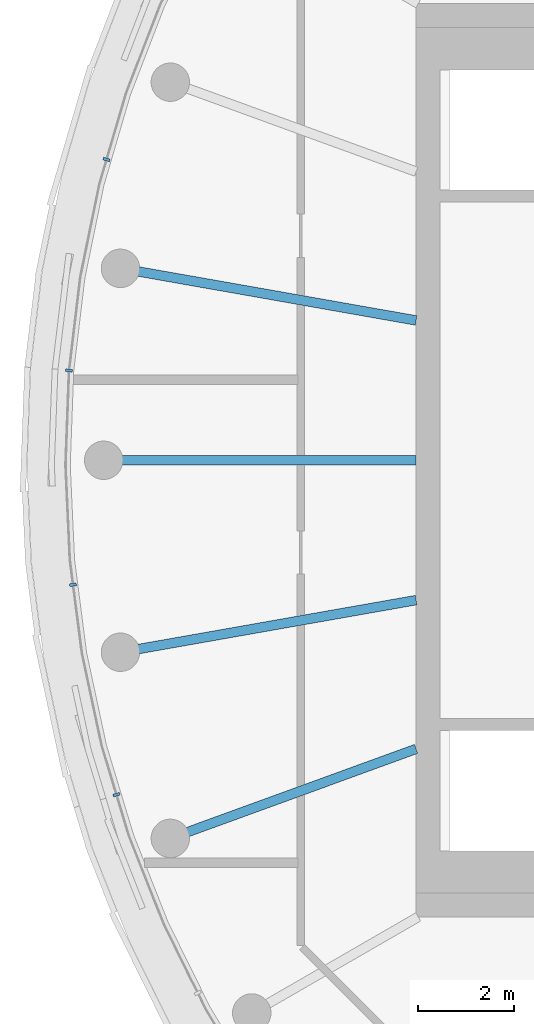
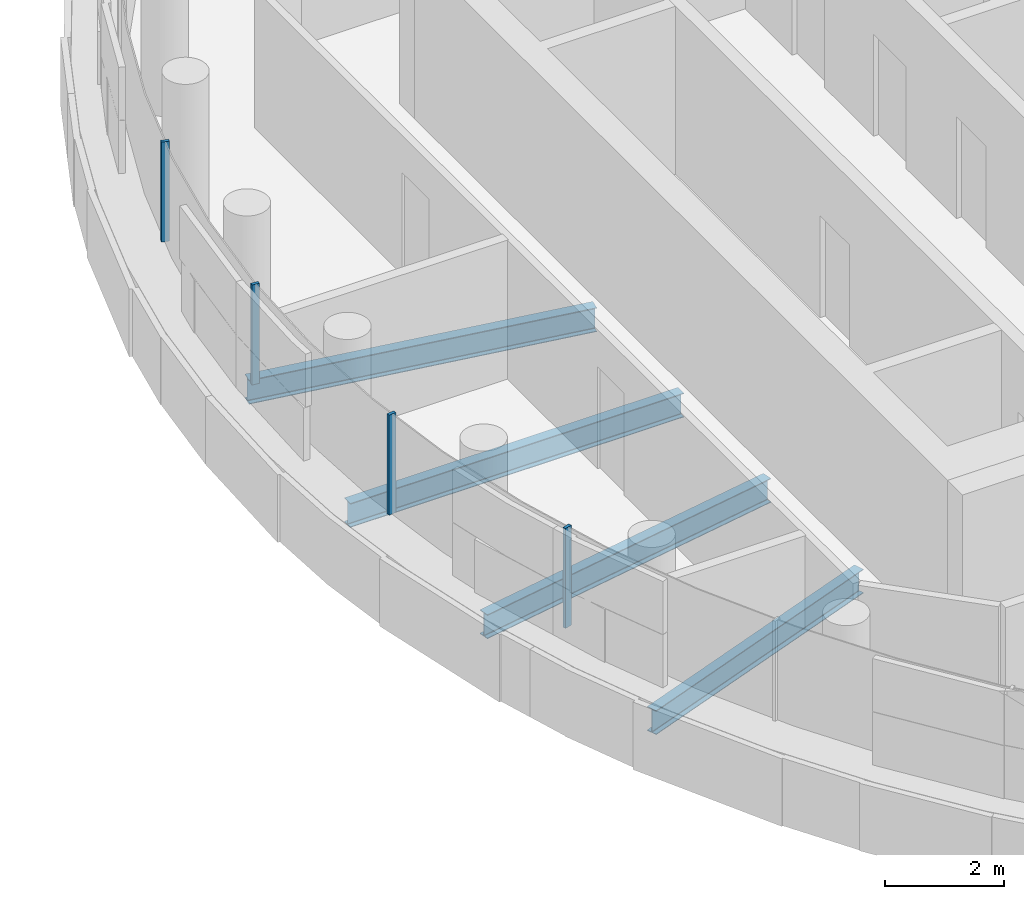
# One storey, part 4 of 21: 4 beams, 4 members, 1 element without a shape of its own.
"""IFC4 building model written with IfcOpenShell, lengths in metres."""

from ifc_helpers import new_model, si_unit, direction, frame, origin, origin_2d, place, context, subcontext, project, spatial, rectangle, i_section, extrude, material, layer, layer_set, material_profile, profile_set, type_object, element, aggregate, save


model = new_model("IFC4")

# Units and contexts
model_context = context("Model", 3, precision=1e-05, world=origin(), true_north=direction((0.0, 1.0)))
body_context = subcontext(model_context, "Body", "Model", "MODEL_VIEW")
ifc_project = project(units=[si_unit("LENGTHUNIT", "METRE"), si_unit("AREAUNIT", "SQUARE_METRE"), si_unit("VOLUMEUNIT", "CUBIC_METRE"), si_unit("PLANEANGLEUNIT", "RADIAN"), si_unit("MASSUNIT", "GRAM", prefix="KILO")], contexts=[model_context])

# Site, building, storey
site_placement = place(None, origin())
site = spatial("IfcSite", under=ifc_project, at=site_placement, CompositionType="ELEMENT")
building_placement = place(site_placement, origin())
building = spatial("IfcBuilding", under=site, at=building_placement, Name="Tamarind Cross Interchange Tower", CompositionType="ELEMENT")
storey_placement = place(building_placement, frame((0.0, 0.0, 264.0)))
storey = spatial("IfcBuildingStorey", under=building, at=storey_placement, Name="L67", CompositionType="ELEMENT", Elevation=264.0)

# Beams
ifc_material_1 = material(Name="Steel Q355B", Category="steel")
ifc_material_profile_1 = material_profile(ifc_material_1, i_section(OverallWidth=0.198974609375, OverallDepth=0.49609375, WebThickness=0.009033203125, FlangeThickness=0.013916015625, FilletRadius=0.012939453125, at=origin_2d()), Name="HN 496x199x9x14")
ifc_profile_set_1 = profile_set([ifc_material_profile_1], Name="Steel Q355B")
beam_type = type_object("IfcBeamType", Name="Composite beam HN 496x199x9x14 Q355B", PredefinedType="BEAM", material=ifc_profile_set_1)
beam_1_placement = place(storey_placement, frame((-22.650634765625, 3.993896484375, -0.387939453125), z_axis=(0.984809127561, -0.173640382036, 0.0), x_axis=(0.173640382036, 0.984809127561, 0.0)))
element("IfcBeam", 1, at=beam_1_placement, inside=storey, type_object=beam_type, Name="Beam HH17", PredefinedType="BEAM", context=body_context, shape_type="SweptSolid", body=[
    extrude(i_section(OverallWidth=0.198974609375, OverallDepth=0.49609375, WebThickness=0.009033203125, FlangeThickness=0.013916015625, FilletRadius=0.012939453125, at=origin_2d()), origin(), (0.0, 0.0, 1.0), 6.24560546875),
])
beam_2_placement = place(storey_placement, frame((-23.0, 0.0, -0.387939453125), z_axis=(1.0, 0.0, 0.0), x_axis=(0.0, 1.0, 0.0)))
element("IfcBeam", 2, at=beam_2_placement, inside=storey, type_object=beam_type, Name="Beam HH18", PredefinedType="BEAM", context=body_context, shape_type="SweptSolid", body=[
    extrude(i_section(OverallWidth=0.198974609375, OverallDepth=0.49609375, WebThickness=0.009033203125, FlangeThickness=0.013916015625, FilletRadius=0.012939453125, at=origin_2d()), origin(), (0.0, 0.0, 1.0), 6.5),
])
beam_3_placement = place(storey_placement, frame((-22.650634765625, -3.993896484375, -0.387939453125), z_axis=(0.984809127561, 0.173640382036, 0.0), x_axis=(-0.173640382036, 0.984809127561, 0.0)))
element("IfcBeam", 3, at=beam_3_placement, inside=storey, type_object=beam_type, Name="Beam HH19", PredefinedType="BEAM", context=body_context, shape_type="SweptSolid", body=[
    extrude(i_section(OverallWidth=0.198974609375, OverallDepth=0.49609375, WebThickness=0.009033203125, FlangeThickness=0.013916015625, FilletRadius=0.012939453125, at=origin_2d()), origin(), (0.0, 0.0, 1.0), 6.24560546875),
])
beam_4_placement = place(storey_placement, frame((-21.613037109375, -7.866455078125, -0.387939453125), z_axis=(0.939701685589, 0.341995236956, 0.0), x_axis=(-0.341995236956, 0.939701685589, 0.0)))
element("IfcBeam", 4, at=beam_4_placement, inside=storey, type_object=beam_type, Name="Beam HH20", PredefinedType="BEAM", context=body_context, shape_type="SweptSolid", body=[
    extrude(i_section(OverallWidth=0.198974609375, OverallDepth=0.49609375, WebThickness=0.009033203125, FlangeThickness=0.013916015625, FilletRadius=0.012939453125, at=origin_2d()), origin(), (0.0, 0.0, 1.0), 5.441162109375),
])

# Curtain wall, members
ifc_material_2 = material(Name="Aluminium 6063-T6", Category="aluminium")
ifc_layer = layer(ifc_material_2, 0.139892578125)
ifc_layer_set = layer_set([ifc_layer], Name="Aluminium 6063-T6")
curtain_wall_type = type_object("IfcCurtainWallType", Name="Hotel curtain wall, 4.5 m bays", PredefinedType="NOTDEFINED", material=ifc_layer_set)
curtain_wall_placement = place(storey_placement, origin())
curtain_wall = element("IfcCurtainWall", 5, at=curtain_wall_placement, inside=storey, type_object=curtain_wall_type, Name="CWS-L67-01", PredefinedType="NOTDEFINED")
ifc_material_profile_2 = material_profile(ifc_material_2, rectangle(XDim=0.06005859375, YDim=0.139892578125, at=origin_2d()), Name="Mullion CW2")
ifc_profile_set_2 = profile_set([ifc_material_profile_2], Name="Aluminium 6063-T6")
member_type = type_object("IfcMemberType", Name="Mullion CW2", PredefinedType="MULLION", material=ifc_profile_set_2)
member_1_placement = place(storey_placement, frame((-22.941162109375, 6.2587890625, 1.39990234375), z_axis=(0.0, 0.0, 1.0), x_axis=(-0.281208920763, -0.95964657186, 0.0)))
member_1 = element("IfcMember", 6, at=member_1_placement, type_object=member_type, Name="CWM-L67-01-04", PredefinedType="MULLION", context=body_context, shape_type="SweptSolid", body=[
    extrude(rectangle(XDim=0.06005859375, YDim=0.139892578125, at=origin_2d()), origin(), (0.0, 0.0, 1.0), 2.06005859375),
])
member_2_placement = place(storey_placement, frame((-23.72216796875, 1.86767578125, 1.39990234375), z_axis=(0.0, 0.0, 1.0), x_axis=(-0.119420963295, -0.992843710523, 0.0)))
member_2 = element("IfcMember", 7, at=member_2_placement, type_object=member_type, Name="CWM-L67-01-05", PredefinedType="MULLION", context=body_context, shape_type="SweptSolid", body=[
    extrude(rectangle(XDim=0.06005859375, YDim=0.139892578125, at=origin_2d()), origin(), (0.0, 0.0, 1.0), 2.06005859375),
])
member_3_placement = place(storey_placement, frame((-23.63818359375, -2.591064453125, 1.39990234375), z_axis=(0.0, 0.0, 1.0), x_axis=(0.127962008342, -0.991779070368, 0.0)))
member_3 = element("IfcMember", 8, at=member_3_placement, type_object=member_type, Name="CWM-L67-01-06", PredefinedType="MULLION", context=body_context, shape_type="SweptSolid", body=[
    extrude(rectangle(XDim=0.06005859375, YDim=0.139892578125, at=origin_2d()), origin(), (0.0, 0.0, 1.0), 2.06005859375),
])
member_4_placement = place(storey_placement, frame((-22.73486328125, -6.95751953125, 1.39990234375), z_axis=(0.0, 0.0, 1.0), x_axis=(0.289458243079, -0.957190642199, 0.0)))
member_4 = element("IfcMember", 9, at=member_4_placement, type_object=member_type, Name="CWM-L67-01-07", PredefinedType="MULLION", context=body_context, shape_type="SweptSolid", body=[
    extrude(rectangle(XDim=0.06005859375, YDim=0.139892578125, at=origin_2d()), origin(), (0.0, 0.0, 1.0), 2.06005859375),
])
aggregate(curtain_wall, [member_1, member_2, member_3, member_4])

save(model, "model.ifc")
